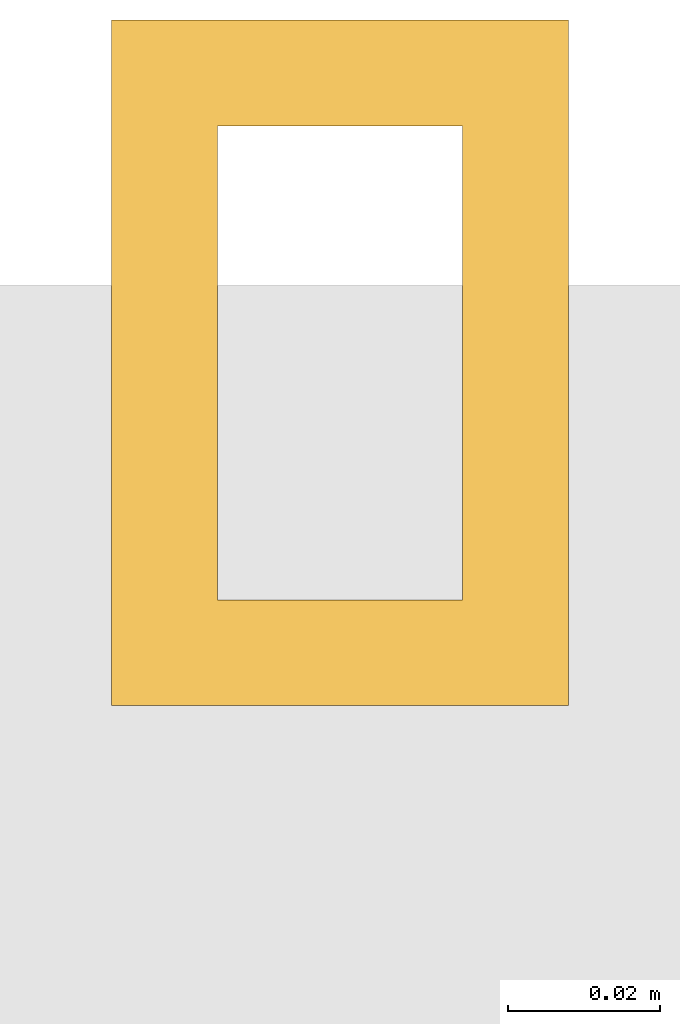
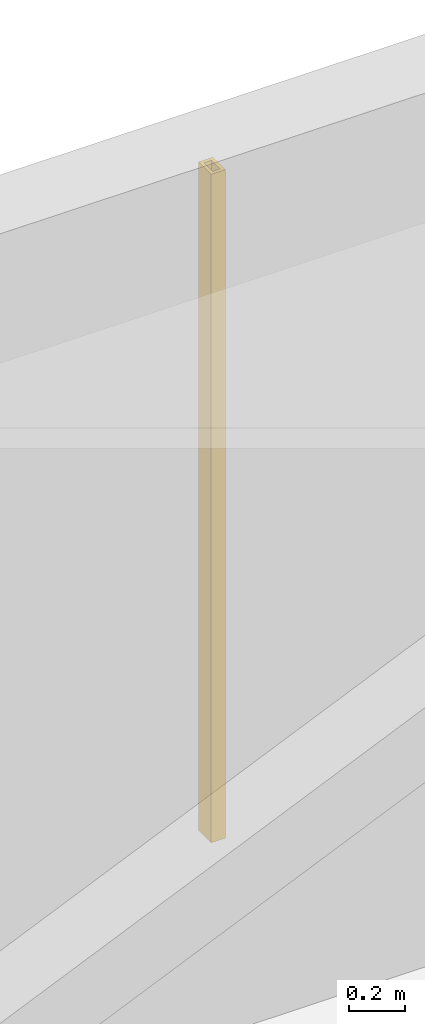
# One storey, part 37 of 38: 1 shading device.
"""IFC4 building model written with IfcOpenShell, lengths in metres."""

from ifc_helpers import new_model, si_unit, direction, frame, origin, origin_2d, place, context, subcontext, project, spatial, hollow_rectangle, extrude, material, material_profile, profile_set, type_object, element, save


model = new_model("IFC4")

# Units and contexts
model_context = context("Model", 3, precision=1e-05, world=origin(), true_north=direction((0.0, 1.0)))
body_context = subcontext(model_context, "Body", "Model", "MODEL_VIEW")
ifc_project = project(units=[si_unit("LENGTHUNIT", "METRE"), si_unit("AREAUNIT", "SQUARE_METRE"), si_unit("VOLUMEUNIT", "CUBIC_METRE"), si_unit("PLANEANGLEUNIT", "RADIAN"), si_unit("MASSUNIT", "GRAM", prefix="KILO")], contexts=[model_context])

# Site, building, storey
site_placement = place(None, origin())
site = spatial("IfcSite", under=ifc_project, at=site_placement, CompositionType="ELEMENT")
building_placement = place(site_placement, origin())
building = spatial("IfcBuilding", under=site, at=building_placement, Name="Punatoya Terracotta Tower", CompositionType="ELEMENT")
storey_placement = place(building_placement, frame((0.0, 0.0, 188.39990234375)))
storey = spatial("IfcBuildingStorey", under=building, at=storey_placement, Name="L44", CompositionType="ELEMENT", Elevation=188.39990234375)

# Shading device
ifc_material = material(Name="Architectural Fired Terracotta", Category="masonry")
ifc_material_profile = material_profile(ifc_material, hollow_rectangle(XDim=0.06005859375, YDim=0.090087890625, WallThickness=0.013916015625, at=origin_2d()))
ifc_profile_set = profile_set([ifc_material_profile], Name="Architectural Fired Terracotta")
shading_device_type = type_object("IfcShadingDeviceType", Name="SHD-JALI-90", PredefinedType="JALOUSIE", material=ifc_profile_set)
shading_device_placement = place(storey_placement, frame((0.0, 18.64990234375, 0.60009765625), z_axis=(0.0, 0.0, 1.0), x_axis=(1.0, 0.0, 0.0)))
element("IfcShadingDevice", 1, at=shading_device_placement, inside=storey, type_object=shading_device_type, Name="L44 Braced Bay Terracotta Jali Fin N1", PredefinedType="JALOUSIE", context=body_context, shape_type="SweptSolid", body=[
    extrude(hollow_rectangle(XDim=0.06005859375, YDim=0.090087890625, WallThickness=0.013916015625, at=origin_2d()), origin(), (0.0, 0.0, 1.0), 2.929931640625),
])

save(model, "model.ifc")
